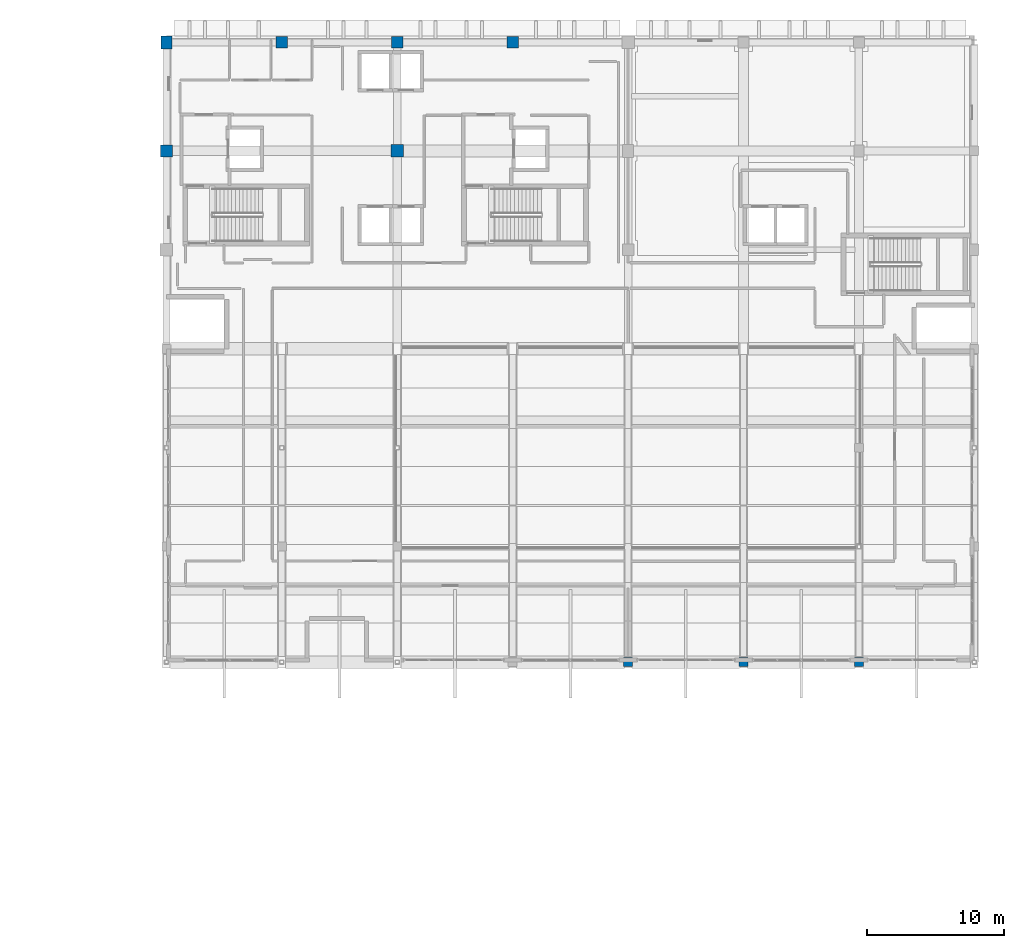
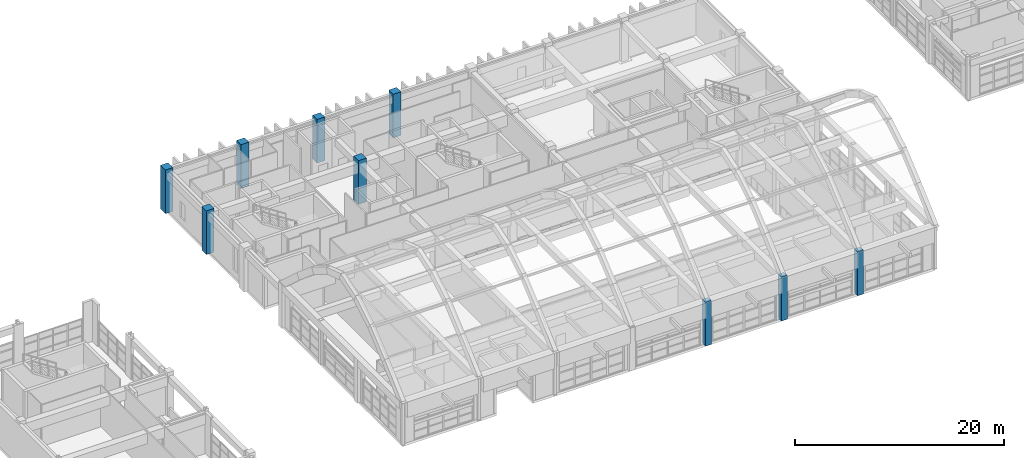
# One storey, part 7 of 103: 9 columns.
"""IFC4 building model written with IfcOpenShell, lengths in metres."""

from ifc_helpers import new_model, si_unit, direction, frame, origin, origin_2d, place, context, subcontext, project, spatial, rectangle, extrude, material, material_profile, profile_set, type_object, element, save


model = new_model("IFC4")

# Units and contexts
model_context = context("Model", 3, precision=1e-05, world=origin(), true_north=direction((0.0, 1.0)))
body_context = subcontext(model_context, "Body", "Model", "MODEL_VIEW")
ifc_project = project(units=[si_unit("LENGTHUNIT", "METRE"), si_unit("AREAUNIT", "SQUARE_METRE"), si_unit("VOLUMEUNIT", "CUBIC_METRE"), si_unit("PLANEANGLEUNIT", "RADIAN"), si_unit("MASSUNIT", "GRAM", prefix="KILO")], contexts=[model_context])

# Site, building, storey
site_placement = place(None, origin())
site = spatial("IfcSite", under=ifc_project, at=site_placement, CompositionType="ELEMENT")
building_placement = place(site_placement, origin())
building = spatial("IfcBuilding", under=site, at=building_placement, Name="Quendrovan Civic Courthouse", CompositionType="ELEMENT")
storey_placement = place(building_placement, frame((0.0, 0.0, 15.300048828125)))
storey = spatial("IfcBuildingStorey", under=building, at=storey_placement, Name="L04", CompositionType="ELEMENT", Elevation=15.300048828125)

# Columns
ifc_material = material(Name="Concrete C45/55", Category="concrete")
ifc_material_profile_1 = material_profile(ifc_material, rectangle(XDim=0.800048828125, YDim=0.949951171875, at=origin_2d()), Name="RC-COL-800x950")
ifc_profile_set_1 = profile_set([ifc_material_profile_1], Name="Concrete C45/55")
column_type_1 = type_object("IfcColumnType", Name="COL-RC-800x950", PredefinedType="COLUMN", material=ifc_profile_set_1)
column_1_placement = place(storey_placement, frame((33.60009765625, 109.89990234375, 0.0), z_axis=(0.0, 0.0, 1.0), x_axis=(1.0, 0.0, 0.0)))
element("IfcColumn", 1, at=column_1_placement, inside=storey, type_object=column_type_1, Name="L04 Column 5-Q", PredefinedType="COLUMN", context=body_context, shape_type="SweptSolid", body=[
    extrude(rectangle(XDim=0.800048828125, YDim=0.949951171875, at=origin_2d()), origin(), (0.0, 0.0, 1.0), 5.099853515625),
])
ifc_material_profile_2 = material_profile(ifc_material, rectangle(XDim=0.64990234375, YDim=0.64990234375, at=origin_2d()), Name="RC-COL-650x650")
ifc_profile_set_2 = profile_set([ifc_material_profile_2], Name="Concrete C45/55")
column_type_2 = type_object("IfcColumnType", Name="COL-RC650", PredefinedType="COLUMN", material=ifc_profile_set_2)
for number, where, z_axis, x_axis, name in (
    (2, (67.199951171875, 64.800048828125, 0.0), (0.0, 0.0, 1.0), (1.0, 0.0, 0.0), "L04 Column 9-J"),
    (3, (75.60009765625, 64.800048828125, 0.0), (0.0, 0.0, 1.0), (1.0, 0.0, 0.0), "L04 Column 10-J"),
    (4, (84.0, 64.800048828125, 0.0), (0.0, 0.0, 1.0), (1.0, 0.0, 0.0), "L04 Column 11-J"),
):
    element("IfcColumn", number, at=place(storey_placement, frame(where, z_axis=z_axis, x_axis=x_axis)), inside=storey, type_object=column_type_2, Name=name, PredefinedType="COLUMN", context=body_context, shape_type="SweptSolid", body=[
        extrude(rectangle(XDim=0.64990234375, YDim=0.64990234375, at=origin_2d()), origin(), (0.0, 0.0, 1.0), 5.099853515625),
    ])
ifc_material_profile_3 = material_profile(ifc_material, rectangle(XDim=0.85009765625, YDim=0.85009765625, at=origin_2d()), Name="RC-COL-850x850")
ifc_profile_set_3 = profile_set([ifc_material_profile_3], Name="Concrete C45/55")
column_type_3 = type_object("IfcColumnType", Name="COL-RC850", PredefinedType="COLUMN", material=ifc_profile_set_3)
for number, where, z_axis, x_axis, name in (
    (5, (33.60009765625, 102.0, 0.0), (0.0, 0.0, 1.0), (1.0, 0.0, 0.0), "L04 Column 5-P"),
    (6, (42.0, 109.89990234375, 0.0), (0.0, 0.0, 1.0), (1.0, 0.0, 0.0), "L04 Column 6-Q"),
    (7, (50.39990234375, 109.89990234375, 0.0), (0.0, 0.0, 1.0), (1.0, 0.0, 0.0), "L04 Column 7-Q"),
    (8, (58.800048828125, 109.89990234375, 0.0), (0.0, 0.0, 1.0), (1.0, 0.0, 0.0), "L04 Column 8-Q"),
):
    element("IfcColumn", number, at=place(storey_placement, frame(where, z_axis=z_axis, x_axis=x_axis)), inside=storey, type_object=column_type_3, Name=name, PredefinedType="COLUMN", context=body_context, shape_type="SweptSolid", body=[
        extrude(rectangle(XDim=0.85009765625, YDim=0.85009765625, at=origin_2d()), origin(), (0.0, 0.0, 1.0), 5.099853515625),
    ])
ifc_material_profile_4 = material_profile(ifc_material, rectangle(XDim=0.89990234375, YDim=0.89990234375, at=origin_2d()), Name="RC-COL-900x900")
ifc_profile_set_4 = profile_set([ifc_material_profile_4], Name="Concrete C45/55")
column_type_4 = type_object("IfcColumnType", Name="COL-RC900", PredefinedType="COLUMN", material=ifc_profile_set_4)
column_2_placement = place(storey_placement, frame((50.39990234375, 102.0, 0.0), z_axis=(0.0, 0.0, 1.0), x_axis=(1.0, 0.0, 0.0)))
element("IfcColumn", 9, at=column_2_placement, inside=storey, type_object=column_type_4, Name="L04 Column 7-P", PredefinedType="COLUMN", context=body_context, shape_type="SweptSolid", body=[
    extrude(rectangle(XDim=0.89990234375, YDim=0.89990234375, at=origin_2d()), origin(), (0.0, 0.0, 1.0), 5.099853515625),
])

save(model, "model.ifc")
